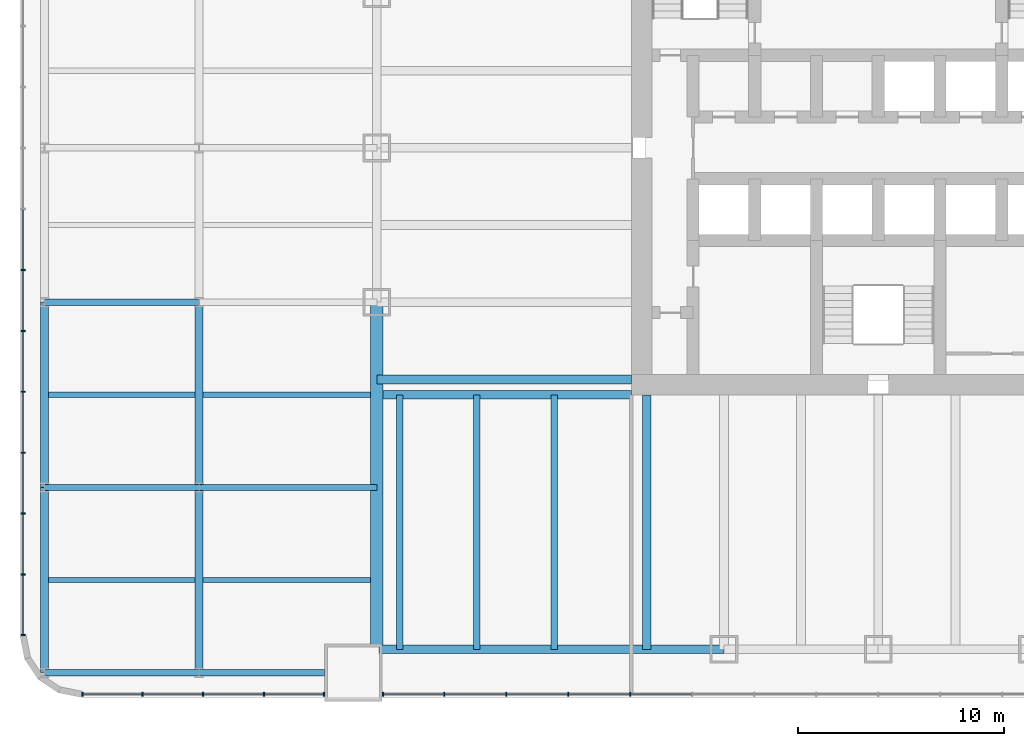
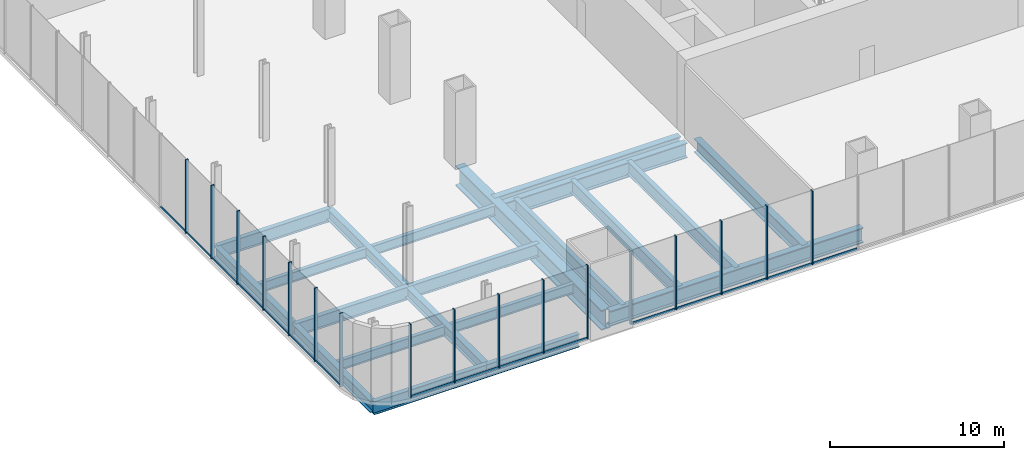
# One storey, part 2 of 16: 33 members, 21 beams, 3 elements without a shape of their own.
"""IFC4 building model written with IfcOpenShell, lengths in metres."""

from ifc_helpers import new_model, si_unit, direction, frame, origin, origin_2d, place, context, subcontext, project, spatial, rectangle, i_section, extrude, material, material_profile, profile_set, type_object, element, aggregate, save


model = new_model("IFC4")

# Units and contexts
model_context = context("Model", 3, precision=1e-05, world=origin(), true_north=direction((0.0, 1.0)))
body_context = subcontext(model_context, "Body", "Model", "MODEL_VIEW")
ifc_project = project(units=[si_unit("LENGTHUNIT", "METRE"), si_unit("AREAUNIT", "SQUARE_METRE"), si_unit("VOLUMEUNIT", "CUBIC_METRE"), si_unit("PLANEANGLEUNIT", "RADIAN"), si_unit("MASSUNIT", "GRAM", prefix="KILO")], contexts=[model_context])

# Site, building, storey
site_placement = place(None, origin())
site = spatial("IfcSite", under=ifc_project, at=site_placement, CompositionType="ELEMENT")
building_placement = place(site_placement, origin())
building = spatial("IfcBuilding", under=site, at=building_placement, Name="Tarangal Relay Tower", CompositionType="ELEMENT")
storey_placement = place(building_placement, frame((0.0, 0.0, 7.199951171875)))
storey = spatial("IfcBuildingStorey", under=building, at=storey_placement, Name="L01", CompositionType="ELEMENT", Elevation=7.199951171875)

# Beams
ifc_material_1 = material(Name="Steel ASTM A992", Category="steel")
ifc_material_profile_1 = material_profile(ifc_material_1, i_section(OverallWidth=0.307373046875, OverallDepth=0.927001953125, WebThickness=0.019287109375, FlangeThickness=0.031982421875, at=origin_2d()), Name="W36X194")
ifc_profile_set_1 = profile_set([ifc_material_profile_1], Name="Steel ASTM A992")
beam_type_1 = type_object("IfcBeamType", Name="Corner beam W36X194", PredefinedType="JOIST", material=ifc_profile_set_1)
for number, where, z_axis, x_axis, name in (
    (1, (-15.75, -12.0, -0.71337890625), (0.0, -1.0, 0.0), (1.0, 0.0, 0.0), "Corner beam CB10 S L01"),
    (2, (-19.5, -12.0, -0.71337890625), (0.0, -1.0, 0.0), (1.0, 0.0, 0.0), "Corner beam CB10 S L01"),
    (3, (-23.25, -12.0, -0.71337890625), (0.0, -1.0, 0.0), (1.0, 0.0, 0.0), "Corner beam CB10 S L01"),
):
    element("IfcBeam", number, at=place(storey_placement, frame(where, z_axis=z_axis, x_axis=x_axis)), inside=storey, type_object=beam_type_1, Name=name, PredefinedType="JOIST", context=body_context, shape_type="SweptSolid", body=[
        extrude(i_section(OverallWidth=0.307373046875, OverallDepth=0.927001953125, WebThickness=0.019287109375, FlangeThickness=0.031982421875, at=origin_2d()), origin(), (0.0, 0.0, 1.0), 12.364990234375),
    ])
ifc_material_profile_2 = material_profile(ifc_material_1, i_section(OverallWidth=0.408935546875, OverallDepth=1.04150390625, WebThickness=0.031005859375, FlangeThickness=0.055908203125, at=origin_2d()), Name="W40X397")
ifc_profile_set_2 = profile_set([ifc_material_profile_2], Name="Steel ASTM A992")
beam_type_2 = type_object("IfcBeamType", Name="Corner girder W40X397", PredefinedType="BEAM", material=ifc_profile_set_2)
beam_1_placement = place(storey_placement, frame((-12.0, -12.0, -0.770751953125), z_axis=(-1.0, 0.0, 0.0), x_axis=(0.0, -1.0, 0.0)))
element("IfcBeam", 4, at=beam_1_placement, inside=storey, type_object=beam_type_2, Name="Corner girder CG1 S L01", PredefinedType="BEAM", context=body_context, shape_type="SweptSolid", body=[
    extrude(i_section(OverallWidth=0.408935546875, OverallDepth=1.04150390625, WebThickness=0.031005859375, FlangeThickness=0.055908203125, at=origin_2d()), origin(), (0.0, 0.0, 1.0), 12.06494140625),
])
ifc_material_profile_3 = material_profile(ifc_material_1, i_section(OverallWidth=0.41650390625, OverallDepth=1.0693359375, WebThickness=0.0390625, FlangeThickness=0.070068359375, at=origin_2d()), Name="W40X503")
ifc_profile_set_3 = profile_set([ifc_material_profile_3], Name="Steel ASTM A992")
beam_type_3 = type_object("IfcBeamType", Name="Edge girder W40X503", PredefinedType="SPANDREL", material=ifc_profile_set_3)
beam_2_placement = place(storey_placement, frame((-7.5, -24.364990234375, -0.78466796875), z_axis=(-1.0, 0.0, 0.0), x_axis=(0.0, -1.0, 0.0)))
element("IfcBeam", 5, at=beam_2_placement, inside=storey, type_object=beam_type_3, Name="Edge girder EG8 S L01", PredefinedType="SPANDREL", context=body_context, shape_type="SweptSolid", body=[
    extrude(i_section(OverallWidth=0.41650390625, OverallDepth=1.0693359375, WebThickness=0.0390625, FlangeThickness=0.070068359375, at=origin_2d()), origin(), (0.0, 0.0, 1.0), 16.75),
])
ifc_material_profile_4 = material_profile(ifc_material_1, i_section(OverallWidth=0.42431640625, OverallDepth=0.947509765625, WebThickness=0.02392578125, FlangeThickness=0.042724609375, at=origin_2d()), Name="W36X302")
ifc_profile_set_4 = profile_set([ifc_material_profile_4], Name="Steel ASTM A992")
beam_type_4 = type_object("IfcBeamType", Name="Floor beam W36X302", PredefinedType="BEAM", material=ifc_profile_set_4)
for number, where, z_axis, x_axis, name in (
    (6, (-11.25, -12.0, -0.7236328125), (0.0, -1.0, 0.0), (1.0, 0.0, 0.0), "Floor beam RB10 S L01"),
    (7, (-12.0, -11.25, -0.7236328125), (-1.0, 0.0, 0.0), (0.0, -1.0, 0.0), "Floor beam RB10 W L01"),
):
    element("IfcBeam", number, at=place(storey_placement, frame(where, z_axis=z_axis, x_axis=x_axis)), inside=storey, type_object=beam_type_4, Name=name, PredefinedType="BEAM", context=body_context, shape_type="SweptSolid", body=[
        extrude(i_section(OverallWidth=0.42431640625, OverallDepth=0.947509765625, WebThickness=0.02392578125, FlangeThickness=0.042724609375, at=origin_2d()), origin(), (0.0, 0.0, 1.0), 12.364990234375),
    ])

# Curtain wall, members
ifc_material_2 = material(Name="Unitised curtain wall, dark glass and black aluminium", Category="aluminium")
curtain_wall_type = type_object("IfcCurtainWallType", Name="Curtain wall CW-P", PredefinedType="USERDEFINED", material=ifc_material_2)
curtain_wall_1_placement = place(storey_placement, origin())
curtain_wall_1 = element("IfcCurtainWall", 8, at=curtain_wall_1_placement, inside=storey, type_object=curtain_wall_type, Name="Curtain wall CW-P Podium W facade L01", ObjectType="UNITISED CURTAIN WALL", PredefinedType="USERDEFINED")
ifc_material_3 = material(Name="Black anodised aluminium mullion", Category="aluminium")
ifc_material_profile_5 = material_profile(ifc_material_3, rectangle(XDim=0.199951171875, YDim=0.070068359375, at=origin_2d()), Name="CW-PM 70X200")
ifc_profile_set_5 = profile_set([ifc_material_profile_5], Name="Black anodised aluminium mullion")
member_type_1 = type_object("IfcMemberType", Name="Mullion CW-P 70 x 200", PredefinedType="MULLION", material=ifc_profile_set_5)
member_1_placement = place(storey_placement, frame((-41.550048828125, -5.925048828125, 0.0), z_axis=(0.0, 0.0, 1.0), x_axis=(1.0, 0.0, 0.0)))
member_1 = element("IfcMember", 9, at=member_1_placement, type_object=member_type_1, Name="CW-P mullion 11", PredefinedType="MULLION", context=body_context, shape_type="SweptSolid", body=[
    extrude(rectangle(XDim=0.199951171875, YDim=0.070068359375, at=origin_2d()), origin(), (0.0, 0.0, 1.0), 5.150146484375),
])
member_2_placement = place(storey_placement, frame((-41.550048828125, -8.887451171875, 0.0), z_axis=(0.0, 0.0, 1.0), x_axis=(1.0, 0.0, 0.0)))
member_2 = element("IfcMember", 10, at=member_2_placement, type_object=member_type_1, Name="CW-P mullion 12", PredefinedType="MULLION", context=body_context, shape_type="SweptSolid", body=[
    extrude(rectangle(XDim=0.199951171875, YDim=0.070068359375, at=origin_2d()), origin(), (0.0, 0.0, 1.0), 5.150146484375),
])
member_3_placement = place(storey_placement, frame((-41.550048828125, -11.85009765625, 0.0), z_axis=(0.0, 0.0, 1.0), x_axis=(1.0, 0.0, 0.0)))
member_3 = element("IfcMember", 11, at=member_3_placement, type_object=member_type_1, Name="CW-P mullion 13", PredefinedType="MULLION", context=body_context, shape_type="SweptSolid", body=[
    extrude(rectangle(XDim=0.199951171875, YDim=0.070068359375, at=origin_2d()), origin(), (0.0, 0.0, 1.0), 5.150146484375),
])
member_4_placement = place(storey_placement, frame((-41.550048828125, -14.8125, 0.0), z_axis=(0.0, 0.0, 1.0), x_axis=(1.0, 0.0, 0.0)))
member_4 = element("IfcMember", 12, at=member_4_placement, type_object=member_type_1, Name="CW-P mullion 14", PredefinedType="MULLION", context=body_context, shape_type="SweptSolid", body=[
    extrude(rectangle(XDim=0.199951171875, YDim=0.070068359375, at=origin_2d()), origin(), (0.0, 0.0, 1.0), 5.150146484375),
])
member_5_placement = place(storey_placement, frame((-41.550048828125, -17.77490234375, 0.0), z_axis=(0.0, 0.0, 1.0), x_axis=(1.0, 0.0, 0.0)))
member_5 = element("IfcMember", 13, at=member_5_placement, type_object=member_type_1, Name="CW-P mullion 15", PredefinedType="MULLION", context=body_context, shape_type="SweptSolid", body=[
    extrude(rectangle(XDim=0.199951171875, YDim=0.070068359375, at=origin_2d()), origin(), (0.0, 0.0, 1.0), 5.150146484375),
])
member_6_placement = place(storey_placement, frame((-41.550048828125, -20.737548828125, 0.0), z_axis=(0.0, 0.0, 1.0), x_axis=(1.0, 0.0, 0.0)))
member_6 = element("IfcMember", 14, at=member_6_placement, type_object=member_type_1, Name="CW-P mullion 16", PredefinedType="MULLION", context=body_context, shape_type="SweptSolid", body=[
    extrude(rectangle(XDim=0.199951171875, YDim=0.070068359375, at=origin_2d()), origin(), (0.0, 0.0, 1.0), 5.150146484375),
])
member_7_placement = place(storey_placement, frame((-41.550048828125, -23.6650390625, 0.0), z_axis=(0.0, 0.0, 1.0), x_axis=(1.0, 0.0, 0.0)))
member_7 = element("IfcMember", 15, at=member_7_placement, type_object=member_type_1, Name="CW-P mullion 17", PredefinedType="MULLION", context=body_context, shape_type="SweptSolid", body=[
    extrude(rectangle(XDim=0.199951171875, YDim=0.070068359375, at=origin_2d()), origin(), (0.0, 0.0, 1.0), 5.150146484375),
])

curtain_wall_2_placement = place(storey_placement, origin())
curtain_wall_2 = element("IfcCurtainWall", 16, at=curtain_wall_2_placement, inside=storey, type_object=curtain_wall_type, Name="Curtain wall CW-P Podium S facade L01", ObjectType="UNITISED CURTAIN WALL", PredefinedType="USERDEFINED")
member_8_placement = place(storey_placement, frame((-38.6650390625, -26.550048828125, 0.0), z_axis=(0.0, 0.0, 1.0), x_axis=(0.0, 1.0, 0.0)))
member_8 = element("IfcMember", 17, at=member_8_placement, type_object=member_type_1, Name="CW-P mullion 1", PredefinedType="MULLION", context=body_context, shape_type="SweptSolid", body=[
    extrude(rectangle(XDim=0.199951171875, YDim=0.070068359375, at=origin_2d()), origin(), (0.0, 0.0, 1.0), 5.150146484375),
])
member_9_placement = place(storey_placement, frame((-35.75, -26.550048828125, 0.0), z_axis=(0.0, 0.0, 1.0), x_axis=(0.0, 1.0, 0.0)))
member_9 = element("IfcMember", 18, at=member_9_placement, type_object=member_type_1, Name="CW-P mullion 2", PredefinedType="MULLION", context=body_context, shape_type="SweptSolid", body=[
    extrude(rectangle(XDim=0.199951171875, YDim=0.070068359375, at=origin_2d()), origin(), (0.0, 0.0, 1.0), 5.150146484375),
])
member_10_placement = place(storey_placement, frame((-32.800048828125, -26.550048828125, 0.0), z_axis=(0.0, 0.0, 1.0), x_axis=(0.0, 1.0, 0.0)))
member_10 = element("IfcMember", 19, at=member_10_placement, type_object=member_type_1, Name="CW-P mullion 3", PredefinedType="MULLION", context=body_context, shape_type="SweptSolid", body=[
    extrude(rectangle(XDim=0.199951171875, YDim=0.070068359375, at=origin_2d()), origin(), (0.0, 0.0, 1.0), 5.150146484375),
])
member_11_placement = place(storey_placement, frame((-29.85009765625, -26.550048828125, 0.0), z_axis=(0.0, 0.0, 1.0), x_axis=(0.0, 1.0, 0.0)))
member_11 = element("IfcMember", 20, at=member_11_placement, type_object=member_type_1, Name="CW-P mullion 4", PredefinedType="MULLION", context=body_context, shape_type="SweptSolid", body=[
    extrude(rectangle(XDim=0.199951171875, YDim=0.070068359375, at=origin_2d()), origin(), (0.0, 0.0, 1.0), 5.150146484375),
])
member_12_placement = place(storey_placement, frame((-26.93505859375, -26.550048828125, 0.0), z_axis=(0.0, 0.0, 1.0), x_axis=(0.0, 1.0, 0.0)))
member_12 = element("IfcMember", 21, at=member_12_placement, type_object=member_type_1, Name="CW-P mullion 5", PredefinedType="MULLION", context=body_context, shape_type="SweptSolid", body=[
    extrude(rectangle(XDim=0.199951171875, YDim=0.070068359375, at=origin_2d()), origin(), (0.0, 0.0, 1.0), 5.150146484375),
])

curtain_wall_3_placement = place(storey_placement, origin())
curtain_wall_3 = element("IfcCurtainWall", 22, at=curtain_wall_3_placement, inside=storey, type_object=curtain_wall_type, Name="Curtain wall CW-P Podium S facade L01", ObjectType="UNITISED CURTAIN WALL", PredefinedType="USERDEFINED")
member_13_placement = place(storey_placement, frame((-24.06494140625, -26.550048828125, 0.0), z_axis=(0.0, 0.0, 1.0), x_axis=(0.0, 1.0, 0.0)))
member_13 = element("IfcMember", 23, at=member_13_placement, type_object=member_type_1, Name="CW-P mullion 1", PredefinedType="MULLION", context=body_context, shape_type="SweptSolid", body=[
    extrude(rectangle(XDim=0.199951171875, YDim=0.070068359375, at=origin_2d()), origin(), (0.0, 0.0, 1.0), 5.150146484375),
])
member_14_placement = place(storey_placement, frame((-21.08740234375, -26.550048828125, 0.0), z_axis=(0.0, 0.0, 1.0), x_axis=(0.0, 1.0, 0.0)))
member_14 = element("IfcMember", 24, at=member_14_placement, type_object=member_type_1, Name="CW-P mullion 2", PredefinedType="MULLION", context=body_context, shape_type="SweptSolid", body=[
    extrude(rectangle(XDim=0.199951171875, YDim=0.070068359375, at=origin_2d()), origin(), (0.0, 0.0, 1.0), 5.150146484375),
])
member_15_placement = place(storey_placement, frame((-18.074951171875, -26.550048828125, 0.0), z_axis=(0.0, 0.0, 1.0), x_axis=(0.0, 1.0, 0.0)))
member_15 = element("IfcMember", 25, at=member_15_placement, type_object=member_type_1, Name="CW-P mullion 3", PredefinedType="MULLION", context=body_context, shape_type="SweptSolid", body=[
    extrude(rectangle(XDim=0.199951171875, YDim=0.070068359375, at=origin_2d()), origin(), (0.0, 0.0, 1.0), 5.150146484375),
])
member_16_placement = place(storey_placement, frame((-15.0625, -26.550048828125, 0.0), z_axis=(0.0, 0.0, 1.0), x_axis=(0.0, 1.0, 0.0)))
member_16 = element("IfcMember", 26, at=member_16_placement, type_object=member_type_1, Name="CW-P mullion 4", PredefinedType="MULLION", context=body_context, shape_type="SweptSolid", body=[
    extrude(rectangle(XDim=0.199951171875, YDim=0.070068359375, at=origin_2d()), origin(), (0.0, 0.0, 1.0), 5.150146484375),
])
member_17_placement = place(storey_placement, frame((-12.050048828125, -26.550048828125, 0.0), z_axis=(0.0, 0.0, 1.0), x_axis=(0.0, 1.0, 0.0)))
member_17 = element("IfcMember", 27, at=member_17_placement, type_object=member_type_1, Name="CW-P mullion 5", PredefinedType="MULLION", context=body_context, shape_type="SweptSolid", body=[
    extrude(rectangle(XDim=0.199951171875, YDim=0.070068359375, at=origin_2d()), origin(), (0.0, 0.0, 1.0), 5.150146484375),
])

# Beams
ifc_material_profile_6 = material_profile(ifc_material_1, i_section(OverallWidth=0.3046875, OverallDepth=0.911865234375, WebThickness=0.015869140625, FlangeThickness=0.02392578125, at=origin_2d()), Name="W36X150")
ifc_profile_set_6 = profile_set([ifc_material_profile_6], Name="Steel ASTM A992")
beam_type_5 = type_object("IfcBeamType", Name="Podium beam W36X150", PredefinedType="BEAM", material=ifc_profile_set_6)
beam_3_placement = place(storey_placement, frame((-26.89990234375, -25.5, -0.705810546875), z_axis=(-1.0, 0.0, 0.0), x_axis=(0.0, -1.0, 0.0)))
element("IfcBeam", 28, at=beam_3_placement, inside=storey, type_object=beam_type_5, Name="Podium beam PB1 L01", PredefinedType="BEAM", context=body_context, shape_type="SweptSolid", body=[
    extrude(i_section(OverallWidth=0.3046875, OverallDepth=0.911865234375, WebThickness=0.015869140625, FlangeThickness=0.02392578125, at=origin_2d()), origin(), (0.0, 0.0, 1.0), 6.10009765625),
])
beam_4_placement = place(storey_placement, frame((-33.0, -25.5, -0.705810546875), z_axis=(-1.0, 0.0, 0.0), x_axis=(0.0, -1.0, 0.0)))
element("IfcBeam", 29, at=beam_4_placement, inside=storey, type_object=beam_type_5, Name="Podium beam PB1 L01", PredefinedType="BEAM", context=body_context, shape_type="SweptSolid", body=[
    extrude(i_section(OverallWidth=0.3046875, OverallDepth=0.911865234375, WebThickness=0.015869140625, FlangeThickness=0.02392578125, at=origin_2d()), origin(), (0.0, 0.0, 1.0), 7.5),
])
beam_5_placement = place(storey_placement, frame((-24.364990234375, -16.5, -0.705810546875), z_axis=(-1.0, 0.0, 0.0), x_axis=(0.0, -1.0, 0.0)))
element("IfcBeam", 30, at=beam_5_placement, inside=storey, type_object=beam_type_5, Name="Podium beam PB1 L01", PredefinedType="BEAM", context=body_context, shape_type="SweptSolid", body=[
    extrude(i_section(OverallWidth=0.3046875, OverallDepth=0.911865234375, WebThickness=0.015869140625, FlangeThickness=0.02392578125, at=origin_2d()), origin(), (0.0, 0.0, 1.0), 8.635009765625),
])
for number, where, z_axis, x_axis, name in (
    (31, (-33.0, -16.5, -0.705810546875), (-1.0, 0.0, 0.0), (0.0, -1.0, 0.0), "Podium beam PB1 L01"),
    (32, (-33.0, -7.5, -0.705810546875), (-1.0, 0.0, 0.0), (0.0, -1.0, 0.0), "Podium beam PB1 L01"),
):
    element("IfcBeam", number, at=place(storey_placement, frame(where, z_axis=z_axis, x_axis=x_axis)), inside=storey, type_object=beam_type_5, Name=name, PredefinedType="BEAM", context=body_context, shape_type="SweptSolid", body=[
        extrude(i_section(OverallWidth=0.3046875, OverallDepth=0.911865234375, WebThickness=0.015869140625, FlangeThickness=0.02392578125, at=origin_2d()), origin(), (0.0, 0.0, 1.0), 7.5),
    ])
ifc_material_profile_7 = material_profile(ifc_material_1, i_section(OverallWidth=0.383544921875, OverallDepth=0.784912109375, WebThickness=0.019775390625, FlangeThickness=0.033447265625, at=origin_2d()), Name="W30X211")
ifc_profile_set_7 = profile_set([ifc_material_profile_7], Name="Steel ASTM A992")
beam_type_6 = type_object("IfcBeamType", Name="Podium girder W30X211", PredefinedType="BEAM", material=ifc_profile_set_7)
for number, where, z_axis, x_axis, name in (
    (33, (-33.0, -25.5, -0.642333984375), (0.0, 1.0, 0.0), (-1.0, 0.0, 0.0), "Podium girder PG1 L01"),
    (34, (-33.0, -16.5, -0.642333984375), (0.0, 1.0, 0.0), (-1.0, 0.0, 0.0), "Podium girder PG1 L01"),
    (35, (-40.5, -25.5, -0.642333984375), (0.0, 1.0, 0.0), (-1.0, 0.0, 0.0), "Podium girder PG1 L01"),
    (36, (-40.5, -16.5, -0.642333984375), (0.0, 1.0, 0.0), (-1.0, 0.0, 0.0), "Podium girder PG1 L01"),
):
    element("IfcBeam", number, at=place(storey_placement, frame(where, z_axis=z_axis, x_axis=x_axis)), inside=storey, type_object=beam_type_6, Name=name, PredefinedType="BEAM", context=body_context, shape_type="SweptSolid", body=[
        extrude(i_section(OverallWidth=0.383544921875, OverallDepth=0.784912109375, WebThickness=0.019775390625, FlangeThickness=0.033447265625, at=origin_2d()), origin(), (0.0, 0.0, 1.0), 9.0),
    ])
ifc_material_profile_8 = material_profile(ifc_material_1, i_section(OverallWidth=0.25390625, OverallDepth=0.683349609375, WebThickness=0.012451171875, FlangeThickness=0.018798828125, at=origin_2d()), Name="W27X94")
ifc_profile_set_8 = profile_set([ifc_material_profile_8], Name="Steel ASTM A992")
beam_type_7 = type_object("IfcBeamType", Name="Podium joist W27X94", PredefinedType="JOIST", material=ifc_profile_set_8)
beam_6_placement = place(storey_placement, frame((-24.6650390625, -21.0, -0.591552734375), z_axis=(-1.0, 0.0, 0.0), x_axis=(0.0, -1.0, 0.0)))
element("IfcBeam", 37, at=beam_6_placement, inside=storey, type_object=beam_type_7, Name="Podium joist PJ1 L01", PredefinedType="JOIST", context=body_context, shape_type="SweptSolid", body=[
    extrude(i_section(OverallWidth=0.25390625, OverallDepth=0.683349609375, WebThickness=0.012451171875, FlangeThickness=0.018798828125, at=origin_2d()), origin(), (0.0, 0.0, 1.0), 8.14404296875),
])
beam_7_placement = place(storey_placement, frame((-33.19091796875, -21.0, -0.591552734375), z_axis=(-1.0, 0.0, 0.0), x_axis=(0.0, -1.0, 0.0)))
element("IfcBeam", 38, at=beam_7_placement, inside=storey, type_object=beam_type_7, Name="Podium joist PJ1 L01", PredefinedType="JOIST", context=body_context, shape_type="SweptSolid", body=[
    extrude(i_section(OverallWidth=0.25390625, OverallDepth=0.683349609375, WebThickness=0.012451171875, FlangeThickness=0.018798828125, at=origin_2d()), origin(), (0.0, 0.0, 1.0), 7.1181640625),
])
beam_8_placement = place(storey_placement, frame((-24.6650390625, -12.0, -0.591552734375), z_axis=(-1.0, 0.0, 0.0), x_axis=(0.0, -1.0, 0.0)))
element("IfcBeam", 39, at=beam_8_placement, inside=storey, type_object=beam_type_7, Name="Podium joist PJ1 L01", PredefinedType="JOIST", context=body_context, shape_type="SweptSolid", body=[
    extrude(i_section(OverallWidth=0.25390625, OverallDepth=0.683349609375, WebThickness=0.012451171875, FlangeThickness=0.018798828125, at=origin_2d()), origin(), (0.0, 0.0, 1.0), 8.14404296875),
])
beam_9_placement = place(storey_placement, frame((-33.19091796875, -12.0, -0.591552734375), z_axis=(-1.0, 0.0, 0.0), x_axis=(0.0, -1.0, 0.0)))
element("IfcBeam", 40, at=beam_9_placement, inside=storey, type_object=beam_type_7, Name="Podium joist PJ1 L01", PredefinedType="JOIST", context=body_context, shape_type="SweptSolid", body=[
    extrude(i_section(OverallWidth=0.25390625, OverallDepth=0.683349609375, WebThickness=0.012451171875, FlangeThickness=0.018798828125, at=origin_2d()), origin(), (0.0, 0.0, 1.0), 7.1181640625),
])
ifc_material_4 = material(Name="Steel ASTM A572 Grade 50", Category="steel")
ifc_material_profile_9 = material_profile(ifc_material_4, i_section(OverallWidth=0.60009765625, OverallDepth=1.39990234375, WebThickness=0.030029296875, FlangeThickness=0.080078125, at=origin_2d()), Name="PG1400X600X80X30")
ifc_profile_set_9 = profile_set([ifc_material_profile_9], Name="Steel ASTM A572 Grade 50")
beam_type_8 = type_object("IfcBeamType", Name="Transfer girder PG1400X600X80X30", PredefinedType="SPANDREL", material=ifc_profile_set_9)
beam_10_placement = place(storey_placement, frame((-24.364990234375, -24.25, -0.949951171875), z_axis=(0.0, 1.0, 0.0), x_axis=(-1.0, 0.0, 0.0)))
element("IfcBeam", 41, at=beam_10_placement, inside=storey, type_object=beam_type_8, Name="Transfer girder TG1 W L01", PredefinedType="SPANDREL", context=body_context, shape_type="SweptSolid", body=[
    extrude(i_section(OverallWidth=0.60009765625, OverallDepth=1.39990234375, WebThickness=0.030029296875, FlangeThickness=0.080078125, at=origin_2d()), origin(), (0.0, 0.0, 1.0), 16.75),
])

# Member
ifc_material_5 = material(Name="Black anodised aluminium transom", Category="aluminium")
ifc_material_profile_10 = material_profile(ifc_material_5, rectangle(XDim=0.070068359375, YDim=0.159912109375, at=origin_2d()), Name="CW-PT 70X160")
ifc_profile_set_10 = profile_set([ifc_material_profile_10], Name="Black anodised aluminium transom")
member_type_2 = type_object("IfcMemberType", Name="Transom CW-P 70 x 160", PredefinedType="USERDEFINED", material=ifc_profile_set_10)
member_18_placement = place(storey_placement, frame((-41.550048828125, -2.99755859375, 0.03515625), z_axis=(0.0, -1.0, 0.0), x_axis=(1.0, 0.0, 0.0)))
member_18 = element("IfcMember", 42, at=member_18_placement, type_object=member_type_2, Name="CW-P transom 10.1", ObjectType="TRANSOM", PredefinedType="USERDEFINED", context=body_context, shape_type="SweptSolid", body=[
    extrude(rectangle(XDim=0.070068359375, YDim=0.159912109375, at=origin_2d()), origin(), (0.0, 0.0, 1.0), 2.892333984375),
])

member_19_placement = place(storey_placement, frame((-41.550048828125, -5.9599609375, 0.03515625), z_axis=(0.0, -1.0, 0.0), x_axis=(1.0, 0.0, 0.0)))
member_19 = element("IfcMember", 43, at=member_19_placement, type_object=member_type_2, Name="CW-P transom 11.1", ObjectType="TRANSOM", PredefinedType="USERDEFINED", context=body_context, shape_type="SweptSolid", body=[
    extrude(rectangle(XDim=0.070068359375, YDim=0.159912109375, at=origin_2d()), origin(), (0.0, 0.0, 1.0), 2.892578125),
])

member_20_placement = place(storey_placement, frame((-41.550048828125, -8.922607421875, 0.03515625), z_axis=(0.0, -1.0, 0.0), x_axis=(1.0, 0.0, 0.0)))
member_20 = element("IfcMember", 44, at=member_20_placement, type_object=member_type_2, Name="CW-P transom 12.1", ObjectType="TRANSOM", PredefinedType="USERDEFINED", context=body_context, shape_type="SweptSolid", body=[
    extrude(rectangle(XDim=0.070068359375, YDim=0.159912109375, at=origin_2d()), origin(), (0.0, 0.0, 1.0), 2.892333984375),
])

member_21_placement = place(storey_placement, frame((-41.550048828125, -11.885009765625, 0.03515625), z_axis=(0.0, -1.0, 0.0), x_axis=(1.0, 0.0, 0.0)))
member_21 = element("IfcMember", 45, at=member_21_placement, type_object=member_type_2, Name="CW-P transom 13.1", ObjectType="TRANSOM", PredefinedType="USERDEFINED", context=body_context, shape_type="SweptSolid", body=[
    extrude(rectangle(XDim=0.070068359375, YDim=0.159912109375, at=origin_2d()), origin(), (0.0, 0.0, 1.0), 2.892578125),
])

member_22_placement = place(storey_placement, frame((-41.550048828125, -14.847412109375, 0.03515625), z_axis=(0.0, -1.0, 0.0), x_axis=(1.0, 0.0, 0.0)))
member_22 = element("IfcMember", 46, at=member_22_placement, type_object=member_type_2, Name="CW-P transom 14.1", ObjectType="TRANSOM", PredefinedType="USERDEFINED", context=body_context, shape_type="SweptSolid", body=[
    extrude(rectangle(XDim=0.070068359375, YDim=0.159912109375, at=origin_2d()), origin(), (0.0, 0.0, 1.0), 2.892578125),
])

member_23_placement = place(storey_placement, frame((-41.550048828125, -17.81005859375, 0.03515625), z_axis=(0.0, -1.0, 0.0), x_axis=(1.0, 0.0, 0.0)))
member_23 = element("IfcMember", 47, at=member_23_placement, type_object=member_type_2, Name="CW-P transom 15.1", ObjectType="TRANSOM", PredefinedType="USERDEFINED", context=body_context, shape_type="SweptSolid", body=[
    extrude(rectangle(XDim=0.070068359375, YDim=0.159912109375, at=origin_2d()), origin(), (0.0, 0.0, 1.0), 2.892333984375),
])

member_24_placement = place(storey_placement, frame((-41.550048828125, -20.7724609375, 0.03515625), z_axis=(0.0, -1.0, 0.0), x_axis=(1.0, 0.0, 0.0)))
member_24 = element("IfcMember", 48, at=member_24_placement, type_object=member_type_2, Name="CW-P transom 16.1", ObjectType="TRANSOM", PredefinedType="USERDEFINED", context=body_context, shape_type="SweptSolid", body=[
    extrude(rectangle(XDim=0.070068359375, YDim=0.159912109375, at=origin_2d()), origin(), (0.0, 0.0, 1.0), 2.857421875),
])

aggregate(curtain_wall_1, [member_1, member_2, member_3, member_4, member_5, member_6, member_7, member_18, member_19, member_20, member_21, member_22, member_23, member_24])

member_25_placement = place(storey_placement, frame((-38.6298828125, -26.550048828125, 0.03515625), z_axis=(1.0, 0.0, 0.0), x_axis=(0.0, 1.0, 0.0)))
member_25 = element("IfcMember", 49, at=member_25_placement, type_object=member_type_2, Name="CW-P transom 1.1", ObjectType="TRANSOM", PredefinedType="USERDEFINED", context=body_context, shape_type="SweptSolid", body=[
    extrude(rectangle(XDim=0.070068359375, YDim=0.159912109375, at=origin_2d()), origin(), (0.0, 0.0, 1.0), 2.844970703125),
])

member_26_placement = place(storey_placement, frame((-35.715087890625, -26.550048828125, 0.03515625), z_axis=(1.0, 0.0, 0.0), x_axis=(0.0, 1.0, 0.0)))
member_26 = element("IfcMember", 50, at=member_26_placement, type_object=member_type_2, Name="CW-P transom 2.1", ObjectType="TRANSOM", PredefinedType="USERDEFINED", context=body_context, shape_type="SweptSolid", body=[
    extrude(rectangle(XDim=0.070068359375, YDim=0.159912109375, at=origin_2d()), origin(), (0.0, 0.0, 1.0), 2.880126953125),
])

member_27_placement = place(storey_placement, frame((-32.764892578125, -26.550048828125, 0.03515625), z_axis=(1.0, 0.0, 0.0), x_axis=(0.0, 1.0, 0.0)))
member_27 = element("IfcMember", 51, at=member_27_placement, type_object=member_type_2, Name="CW-P transom 3.1", ObjectType="TRANSOM", PredefinedType="USERDEFINED", context=body_context, shape_type="SweptSolid", body=[
    extrude(rectangle(XDim=0.070068359375, YDim=0.159912109375, at=origin_2d()), origin(), (0.0, 0.0, 1.0), 2.8798828125),
])

member_28_placement = place(storey_placement, frame((-29.81494140625, -26.550048828125, 0.03515625), z_axis=(1.0, 0.0, 0.0), x_axis=(0.0, 1.0, 0.0)))
member_28 = element("IfcMember", 52, at=member_28_placement, type_object=member_type_2, Name="CW-P transom 4.1", ObjectType="TRANSOM", PredefinedType="USERDEFINED", context=body_context, shape_type="SweptSolid", body=[
    extrude(rectangle(XDim=0.070068359375, YDim=0.159912109375, at=origin_2d()), origin(), (0.0, 0.0, 1.0), 2.844970703125),
])

aggregate(curtain_wall_2, [member_8, member_9, member_10, member_11, member_12, member_25, member_26, member_27, member_28])

member_29_placement = place(storey_placement, frame((-24.030029296875, -26.550048828125, 0.03515625), z_axis=(1.0, 0.0, 0.0), x_axis=(0.0, 1.0, 0.0)))
member_29 = element("IfcMember", 53, at=member_29_placement, type_object=member_type_2, Name="CW-P transom 1.1", ObjectType="TRANSOM", PredefinedType="USERDEFINED", context=body_context, shape_type="SweptSolid", body=[
    extrude(rectangle(XDim=0.070068359375, YDim=0.159912109375, at=origin_2d()), origin(), (0.0, 0.0, 1.0), 2.907470703125),
])

member_30_placement = place(storey_placement, frame((-21.052490234375, -26.550048828125, 0.03515625), z_axis=(1.0, 0.0, 0.0), x_axis=(0.0, 1.0, 0.0)))
member_30 = element("IfcMember", 54, at=member_30_placement, type_object=member_type_2, Name="CW-P transom 2.1", ObjectType="TRANSOM", PredefinedType="USERDEFINED", context=body_context, shape_type="SweptSolid", body=[
    extrude(rectangle(XDim=0.070068359375, YDim=0.159912109375, at=origin_2d()), origin(), (0.0, 0.0, 1.0), 2.9423828125),
])

member_31_placement = place(storey_placement, frame((-18.0400390625, -26.550048828125, 0.03515625), z_axis=(1.0, 0.0, 0.0), x_axis=(0.0, 1.0, 0.0)))
member_31 = element("IfcMember", 55, at=member_31_placement, type_object=member_type_2, Name="CW-P transom 3.1", ObjectType="TRANSOM", PredefinedType="USERDEFINED", context=body_context, shape_type="SweptSolid", body=[
    extrude(rectangle(XDim=0.070068359375, YDim=0.159912109375, at=origin_2d()), origin(), (0.0, 0.0, 1.0), 2.942626953125),
])

member_32_placement = place(storey_placement, frame((-15.027587890625, -26.550048828125, 0.03515625), z_axis=(1.0, 0.0, 0.0), x_axis=(0.0, 1.0, 0.0)))
member_32 = element("IfcMember", 56, at=member_32_placement, type_object=member_type_2, Name="CW-P transom 4.1", ObjectType="TRANSOM", PredefinedType="USERDEFINED", context=body_context, shape_type="SweptSolid", body=[
    extrude(rectangle(XDim=0.070068359375, YDim=0.159912109375, at=origin_2d()), origin(), (0.0, 0.0, 1.0), 2.942626953125),
])

member_33_placement = place(storey_placement, frame((-12.014892578125, -26.550048828125, 0.03515625), z_axis=(1.0, 0.0, 0.0), x_axis=(0.0, 1.0, 0.0)))
member_33 = element("IfcMember", 57, at=member_33_placement, type_object=member_type_2, Name="CW-P transom 5.1", ObjectType="TRANSOM", PredefinedType="USERDEFINED", context=body_context, shape_type="SweptSolid", body=[
    extrude(rectangle(XDim=0.070068359375, YDim=0.159912109375, at=origin_2d()), origin(), (0.0, 0.0, 1.0), 2.9423828125),
])

aggregate(curtain_wall_3, [member_13, member_14, member_15, member_16, member_17, member_29, member_30, member_31, member_32, member_33])

save(model, "model.ifc")
